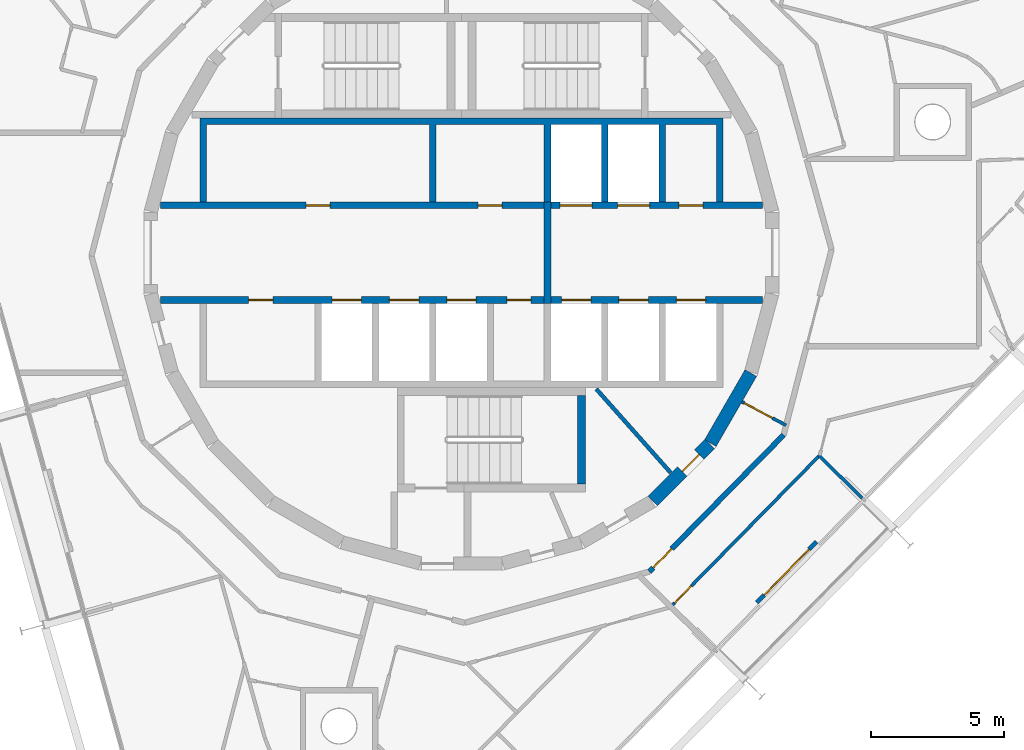
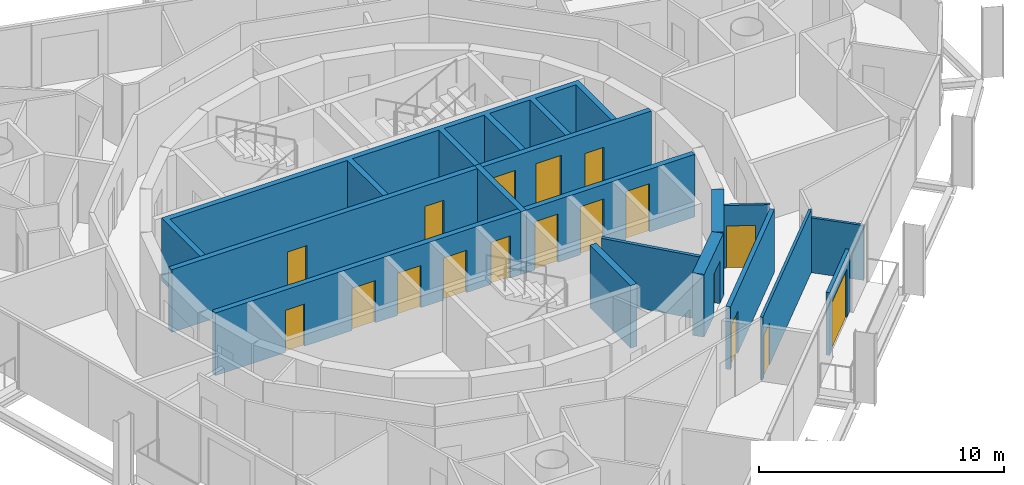
# One storey, part 11 of 16: 18 doors, 15 walls, 18 openings.
"""IFC4 building model written with IfcOpenShell, lengths in metres."""

from ifc_helpers import new_model, si_unit, direction, frame, frame_2d, origin, place, context, subcontext, project, spatial, polyline, rectangle, outline, extrude, material, layer, layer_set, type_object, element, fill, save


model = new_model("IFC4")

# Units and contexts
model_context = context("Model", 3, precision=1e-05, world=origin(), true_north=direction((0.0, 1.0)))
body_context = subcontext(model_context, "Body", "Model", "MODEL_VIEW")
ifc_project = project(units=[si_unit("LENGTHUNIT", "METRE"), si_unit("AREAUNIT", "SQUARE_METRE"), si_unit("VOLUMEUNIT", "CUBIC_METRE"), si_unit("PLANEANGLEUNIT", "RADIAN"), si_unit("MASSUNIT", "GRAM", prefix="KILO")], contexts=[model_context])

# Site, building, storey
site_placement = place(None, origin())
site = spatial("IfcSite", under=ifc_project, at=site_placement, CompositionType="ELEMENT")
building_placement = place(site_placement, origin())
building = spatial("IfcBuilding", under=site, at=building_placement, Name="Spindle Arch Residences", CompositionType="ELEMENT")
storey_placement = place(building_placement, frame((0.0, 0.0, 301.699951171875)))
storey = spatial("IfcBuildingStorey", under=building, at=storey_placement, Name="L77", CompositionType="ELEMENT", Elevation=301.699951171875)

# Wall, opening, door
ifc_material_1 = material(Name="Concrete C50/60", Category="concrete")
ifc_layer_1 = layer(ifc_material_1, 0.5)
ifc_layer_set_1 = layer_set([ifc_layer_1], Name="Core outline wall 500")
wall_type_1 = type_object("IfcWallType", Name="Core outline wall 500", PredefinedType="SHEAR", material=ifc_layer_set_1)
wall_1_placement = place(storey_placement, frame((7.163818359375, -9.30810546875, 0.0), z_axis=(0.0, 0.0, 1.0), x_axis=(0.707106781187, 0.707106781187, 0.0)))
wall_1 = element("IfcWall", 1, at=wall_1_placement, inside=storey, type_object=wall_type_1, Name="Core outline wall 3", PredefinedType="SHEAR", context=body_context, shape_type="SweptSolid", body=[
    extrude(rectangle(XDim=3.032470703125, YDim=0.5, at=frame_2d((1.51611328125, 0.0))), origin(), (0.0, 0.0, 1.0), 3.1201171875),
])
opening_1_placement = place(wall_1_placement, frame((1.56640625, 0.0, 0.0)))
opening_1 = element("IfcOpeningElement", 2, at=opening_1_placement, cuts=wall_1, Name="Opening R8A1-WD07", PredefinedType="OPENING", context=body_context, shape_type="SweptSolid", body=[
    extrude(rectangle(XDim=0.89990234375, YDim=2.10009765625, at=frame_2d((0.449951171875, 1.050048828125))), frame((0.0, 0.260009765625, 0.0), z_axis=(0.0, -1.0, 0.0), x_axis=(1.0, 0.0, 0.0)), (0.0, 0.0, 1.0), 0.52001953125),
])
ifc_material_2 = material(Name="Steel, fire-resisting door", Category="steel")
door_type_1 = type_object("IfcDoorType", Name="Service room door 900x2100", OperationType="SINGLE_SWING_LEFT", PredefinedType="DOOR", material=ifc_material_2)
door_1_placement = place(opening_1_placement, origin())
door_1 = element("IfcDoor", 3, at=door_1_placement, inside=storey, type_object=door_type_1, Name="Service room door R8A1-WD07", OperationType="SINGLE_SWING_LEFT", OverallHeight=2.10009765625, OverallWidth=0.89990234375, PredefinedType="DOOR", context=body_context, shape_type="SweptSolid", body=[
    extrude(rectangle(XDim=0.89990234375, YDim=2.10009765625, at=frame_2d((0.449951171875, 1.050048828125))), frame((0.0, 0.02490234375, 0.0), z_axis=(0.0, -1.0, 0.0), x_axis=(1.0, 0.0, 0.0)), (0.0, 0.0, 1.0), 0.050048828125),
])
fill(opening_1, door_1)

# Wall
wall_2_placement = place(storey_placement, frame((9.32861328125, -7.13671875, 0.0), z_axis=(0.0, 0.0, 1.0), x_axis=(0.500087131594, 0.865975092491, 0.0)))
element("IfcWall", 4, at=wall_2_placement, inside=storey, type_object=wall_type_1, Name="Core outline wall 4", PredefinedType="SHEAR", context=body_context, shape_type="SweptSolid", body=[
    extrude(rectangle(XDim=3.03271484375, YDim=0.5, at=frame_2d((1.516357421875, 0.0))), origin(), (0.0, 0.0, 1.0), 3.1201171875),
])

# Wall, opening, door
ifc_material_3 = material(Name="Plasterboard on steel studs", Category="steel")
ifc_layer_2 = layer(ifc_material_3, 0.1201171875)
ifc_layer_set_2 = layer_set([ifc_layer_2], Name="Corridor division wall 120")
wall_type_2 = type_object("IfcWallType", Name="Corridor division wall 120", PredefinedType="PARTITIONING", material=ifc_layer_set_2)
wall_3_placement = place(storey_placement, frame((10.510986328125, -5.5888671875, 0.0), z_axis=(0.0, 0.0, 1.0), x_axis=(0.882957311919, -0.469453283437, 0.0)))
wall_3 = element("IfcWall", 5, at=wall_3_placement, inside=storey, type_object=wall_type_2, Name="Corridor division wall R8A1-W002", PredefinedType="PARTITIONING", context=body_context, shape_type="SweptSolid", body=[
    extrude(rectangle(XDim=1.87646484375, YDim=0.1201171875, at=frame_2d((0.938232421875, 0.0))), origin(), (0.0, 0.0, 1.0), 3.1201171875),
])
opening_2_placement = place(wall_3_placement, frame((0.10009765625, 0.0, 0.0)))
opening_2 = element("IfcOpeningElement", 6, at=opening_2_placement, cuts=wall_3, Name="Opening R8A1-CD02", PredefinedType="OPENING", context=body_context, shape_type="SweptSolid", body=[
    extrude(rectangle(XDim=1.199951171875, YDim=2.10009765625, at=frame_2d((0.60009765625, 1.050048828125))), frame((0.0, 0.070068359375, 0.0), z_axis=(0.0, -1.0, 0.0), x_axis=(1.0, 0.0, 0.0)), (0.0, 0.0, 1.0), 0.14013671875),
])
ifc_material_4 = material(Name="Steel, fire-resisting door", Category="steel")
door_type_2 = type_object("IfcDoorType", Name="Corridor division door 1200x2100", OperationType="NOTDEFINED", PredefinedType="DOOR", material=ifc_material_4)
door_2_placement = place(opening_2_placement, origin())
door_2 = element("IfcDoor", 7, at=door_2_placement, inside=storey, type_object=door_type_2, Name="Corridor division door R8A1-CD02", OperationType="DOUBLE_DOOR_SINGLE_SWING", OverallHeight=2.10009765625, OverallWidth=1.199951171875, PredefinedType="DOOR", context=body_context, shape_type="SweptSolid", body=[
    extrude(rectangle(XDim=1.199951171875, YDim=2.10009765625, at=frame_2d((0.60009765625, 1.050048828125))), frame((0.0, 0.02490234375, 0.0), z_axis=(0.0, -1.0, 0.0), x_axis=(1.0, 0.0, 0.0)), (0.0, 0.0, 1.0), 0.050048828125),
])
fill(opening_2, door_2)

ifc_material_5 = material(Name="Calcium silicate block, plastered")
ifc_layer_3 = layer(ifc_material_5, 0.199951171875)
ifc_layer_set_3 = layer_set([ifc_layer_3], Name="Corridor wall 200")
wall_type_3 = type_object("IfcWallType", Name="Corridor wall 200", PredefinedType="STANDARD", material=ifc_layer_set_3)
wall_4_placement = place(storey_placement, frame((7.041015625, -11.953125, 0.0), z_axis=(0.0, 0.0, 1.0), x_axis=(0.70090916255, 0.713250549143, 0.0)))
wall_4 = element("IfcWall", 8, at=wall_4_placement, inside=storey, type_object=wall_type_3, Name="Corridor wall R8A1-W016", PredefinedType="STANDARD", context=body_context, shape_type="SweptSolid", body=[
    extrude(rectangle(XDim=7.180908203125, YDim=0.199951171875, at=frame_2d((3.59033203125, 0.0))), origin(), (0.0, 0.0, 1.0), 3.1201171875),
])
opening_3_placement = place(wall_4_placement, frame((0.199951171875, 0.0, 0.0)))
opening_3 = element("IfcOpeningElement", 9, at=opening_3_placement, cuts=wall_4, Name="Opening R8A1-FD06", PredefinedType="OPENING", context=body_context, shape_type="SweptSolid", body=[
    extrude(rectangle(XDim=1.0, YDim=2.10009765625, at=frame_2d((0.5, 1.050048828125))), frame((0.0, 0.10986328125, 0.0), z_axis=(0.0, -1.0, 0.0), x_axis=(1.0, 0.0, 0.0)), (0.0, 0.0, 1.0), 0.219970703125),
])
ifc_material_6 = material(Name="Timber, fire-resisting door set", Category="wood")
door_type_3 = type_object("IfcDoorType", Name="Flat entrance door 1000x2100", OperationType="NOTDEFINED", PredefinedType="DOOR", material=ifc_material_6)
door_3_placement = place(opening_3_placement, origin())
door_3 = element("IfcDoor", 10, at=door_3_placement, inside=storey, type_object=door_type_3, Name="Flat entrance door R8A1-FD06", OperationType="SINGLE_SWING_LEFT", OverallHeight=2.10009765625, OverallWidth=1.0, PredefinedType="DOOR", context=body_context, shape_type="SweptSolid", body=[
    extrude(rectangle(XDim=1.0, YDim=2.10009765625, at=frame_2d((0.5, 1.050048828125))), frame((0.0, 0.02490234375, 0.0), z_axis=(0.0, -1.0, 0.0), x_axis=(1.0, 0.0, 0.0)), (0.0, 0.0, 1.0), 0.050048828125),
])
fill(opening_3, door_3)

# Wall, openings, doors
ifc_material_7 = material(Name="Concrete C40/50", Category="concrete")
ifc_layer_4 = layer(ifc_material_7, 0.25)
ifc_layer_set_4 = layer_set([ifc_layer_4], Name="Fire-lift lobby wall 250")
wall_type_4 = type_object("IfcWallType", Name="Fire-lift lobby wall 250", PredefinedType="SHEAR", material=ifc_layer_set_4)
wall_5_placement = place(storey_placement, frame((3.35009765625, 1.77490234375, 0.0), z_axis=(0.0, 0.0, 1.0), x_axis=(1.0, 0.0, 0.0)))
wall_5 = element("IfcWall", 11, at=wall_5_placement, inside=storey, type_object=wall_type_4, Name="Lift shaft front wall NE", PredefinedType="SHEAR", context=body_context, shape_type="SweptSolid", body=[
    extrude(rectangle(XDim=7.929931640625, YDim=0.25, at=frame_2d((3.96484375, 0.0))), origin(), (0.0, 0.0, 1.0), 3.1201171875),
])
opening_4_placement = place(wall_5_placement, frame((0.35009765625, 0.0, 0.0)))
opening_4 = element("IfcOpeningElement", 12, at=opening_4_placement, cuts=wall_5, Name="Opening R8A1-SLD01", PredefinedType="OPENING", context=body_context, shape_type="SweptSolid", body=[
    extrude(rectangle(XDim=1.199951171875, YDim=2.39990234375, at=frame_2d((0.60009765625, 1.199951171875))), frame((0.0, 0.135009765625, 0.0), z_axis=(0.0, -1.0, 0.0), x_axis=(1.0, 0.0, 0.0)), (0.0, 0.0, 1.0), 0.27001953125),
])
opening_5_placement = place(wall_5_placement, frame((2.5, 0.0, 0.0)))
opening_5 = element("IfcOpeningElement", 13, at=opening_5_placement, cuts=wall_5, Name="Opening R8A1-SLD02", PredefinedType="OPENING", context=body_context, shape_type="SweptSolid", body=[
    extrude(rectangle(XDim=1.199951171875, YDim=2.39990234375, at=frame_2d((0.60009765625, 1.199951171875))), frame((0.0, 0.135009765625, 0.0), z_axis=(0.0, -1.0, 0.0), x_axis=(1.0, 0.0, 0.0)), (0.0, 0.0, 1.0), 0.27001953125),
])
opening_6_placement = place(wall_5_placement, frame((4.800048828125, 0.0, 0.0)))
opening_6 = element("IfcOpeningElement", 14, at=opening_6_placement, cuts=wall_5, Name="Opening R8A1-WD03", PredefinedType="OPENING", context=body_context, shape_type="SweptSolid", body=[
    extrude(rectangle(XDim=0.89990234375, YDim=2.10009765625, at=frame_2d((0.449951171875, 1.050048828125))), frame((0.0, 0.135009765625, 0.0), z_axis=(0.0, -1.0, 0.0), x_axis=(1.0, 0.0, 0.0)), (0.0, 0.0, 1.0), 0.27001953125),
])
ifc_material_8 = material(Name="Steel, fire-resisting landing door", Category="steel")
door_type_4 = type_object("IfcDoorType", Name="Service lift landing door 1200x2400", OperationType="DOUBLE_DOOR_SLIDING", PredefinedType="DOOR", material=ifc_material_8)
door_4_placement = place(opening_4_placement, origin())
door_4 = element("IfcDoor", 15, at=door_4_placement, inside=storey, type_object=door_type_4, Name="Service lift landing door R8A1-SLD01", OperationType="DOUBLE_DOOR_SLIDING", OverallHeight=2.39990234375, OverallWidth=1.199951171875, PredefinedType="DOOR", context=body_context, shape_type="SweptSolid", body=[
    extrude(rectangle(XDim=1.199951171875, YDim=2.39990234375, at=frame_2d((0.60009765625, 1.199951171875))), frame((0.0, 0.02490234375, 0.0), z_axis=(0.0, -1.0, 0.0), x_axis=(1.0, 0.0, 0.0)), (0.0, 0.0, 1.0), 0.050048828125),
])
fill(opening_4, door_4)
door_5_placement = place(opening_5_placement, origin())
door_5 = element("IfcDoor", 16, at=door_5_placement, inside=storey, type_object=door_type_4, Name="Service lift landing door R8A1-SLD02", OperationType="DOUBLE_DOOR_SLIDING", OverallHeight=2.39990234375, OverallWidth=1.199951171875, PredefinedType="DOOR", context=body_context, shape_type="SweptSolid", body=[
    extrude(rectangle(XDim=1.199951171875, YDim=2.39990234375, at=frame_2d((0.60009765625, 1.199951171875))), frame((0.0, 0.02490234375, 0.0), z_axis=(0.0, -1.0, 0.0), x_axis=(1.0, 0.0, 0.0)), (0.0, 0.0, 1.0), 0.050048828125),
])
fill(opening_5, door_5)
door_6_placement = place(opening_6_placement, origin())
door_6 = element("IfcDoor", 17, at=door_6_placement, inside=storey, type_object=door_type_1, Name="Service room door R8A1-WD03", OperationType="SINGLE_SWING_LEFT", OverallHeight=2.10009765625, OverallWidth=0.89990234375, PredefinedType="DOOR", context=body_context, shape_type="SweptSolid", body=[
    extrude(rectangle(XDim=0.89990234375, YDim=2.10009765625, at=frame_2d((0.449951171875, 1.050048828125))), frame((0.0, 0.02490234375, 0.0), z_axis=(0.0, -1.0, 0.0), x_axis=(1.0, 0.0, 0.0)), (0.0, 0.0, 1.0), 0.050048828125),
])
fill(opening_6, door_6)

# Wall
wall_6_placement = place(storey_placement, frame((3.22509765625, -1.89990234375, 0.0), z_axis=(0.0, 0.0, 1.0), x_axis=(0.0, 1.0, 0.0)))
element("IfcWall", 18, at=wall_6_placement, inside=storey, type_object=wall_type_4, Name="Fire-fighting lobby partition", PredefinedType="SHEAR", context=body_context, shape_type="SweptSolid", body=[
    extrude(rectangle(XDim=3.7998046875, YDim=0.25, at=frame_2d((1.89990234375, 0.0))), origin(), (0.0, 0.0, 1.0), 3.1201171875),
])

# Wall, openings, doors
ifc_material_9 = material(Name="Concrete C50/60", Category="concrete")
ifc_layer_5 = layer(ifc_material_9, 0.25)
ifc_layer_set_5 = layer_set([ifc_layer_5], Name="Fire-lift shaft wall 250")
wall_type_5 = type_object("IfcWallType", Name="Fire-lift shaft wall 250", PredefinedType="SHEAR", material=ifc_layer_set_5)
wall_7_placement = place(storey_placement, frame((3.35009765625, -1.77490234375, 0.0), z_axis=(0.0, 0.0, 1.0), x_axis=(1.0, 0.0, 0.0)))
wall_7 = element("IfcWall", 19, at=wall_7_placement, inside=storey, type_object=wall_type_5, Name="Lift shaft front wall SE", PredefinedType="SHEAR", context=body_context, shape_type="SweptSolid", body=[
    extrude(rectangle(XDim=7.929931640625, YDim=0.25, at=frame_2d((3.96484375, 0.0))), origin(), (0.0, 0.0, 1.0), 3.1201171875),
])
opening_7_placement = place(wall_7_placement, frame((0.39990234375, 0.0, 0.0)))
opening_7 = element("IfcOpeningElement", 20, at=opening_7_placement, cuts=wall_7, Name="Opening R8A1-FLD01", PredefinedType="OPENING", context=body_context, shape_type="SweptSolid", body=[
    extrude(rectangle(XDim=1.10009765625, YDim=2.39990234375, at=frame_2d((0.550048828125, 1.199951171875))), frame((0.0, 0.135009765625, 0.0), z_axis=(0.0, -1.0, 0.0), x_axis=(1.0, 0.0, 0.0)), (0.0, 0.0, 1.0), 0.27001953125),
])
opening_8_placement = place(wall_7_placement, frame((2.550048828125, 0.0, 0.0)))
opening_8 = element("IfcOpeningElement", 21, at=opening_8_placement, cuts=wall_7, Name="Opening R8A1-FLD02", PredefinedType="OPENING", context=body_context, shape_type="SweptSolid", body=[
    extrude(rectangle(XDim=1.10009765625, YDim=2.39990234375, at=frame_2d((0.550048828125, 1.199951171875))), frame((0.0, 0.135009765625, 0.0), z_axis=(0.0, -1.0, 0.0), x_axis=(1.0, 0.0, 0.0)), (0.0, 0.0, 1.0), 0.27001953125),
])
opening_9_placement = place(wall_7_placement, frame((4.699951171875, 0.0, 0.0)))
opening_9 = element("IfcOpeningElement", 22, at=opening_9_placement, cuts=wall_7, Name="Opening R8A1-FLD03", PredefinedType="OPENING", context=body_context, shape_type="SweptSolid", body=[
    extrude(rectangle(XDim=1.10009765625, YDim=2.39990234375, at=frame_2d((0.550048828125, 1.199951171875))), frame((0.0, 0.135009765625, 0.0), z_axis=(0.0, -1.0, 0.0), x_axis=(1.0, 0.0, 0.0)), (0.0, 0.0, 1.0), 0.27001953125),
])
ifc_material_10 = material(Name="Steel, fire-resisting landing door", Category="steel")
door_type_5 = type_object("IfcDoorType", Name="Fire-fighting lift landing door 1100x2400", OperationType="DOUBLE_DOOR_SLIDING", PredefinedType="DOOR", material=ifc_material_10)
door_7_placement = place(opening_7_placement, origin())
door_7 = element("IfcDoor", 23, at=door_7_placement, inside=storey, type_object=door_type_5, Name="Fire-fighting lift landing door R8A1-FLD01", OperationType="DOUBLE_DOOR_SLIDING", OverallHeight=2.39990234375, OverallWidth=1.10009765625, PredefinedType="DOOR", context=body_context, shape_type="SweptSolid", body=[
    extrude(rectangle(XDim=1.10009765625, YDim=2.39990234375, at=frame_2d((0.550048828125, 1.199951171875))), frame((0.0, 0.02490234375, 0.0), z_axis=(0.0, -1.0, 0.0), x_axis=(1.0, 0.0, 0.0)), (0.0, 0.0, 1.0), 0.050048828125),
])
fill(opening_7, door_7)
door_8_placement = place(opening_8_placement, origin())
door_8 = element("IfcDoor", 24, at=door_8_placement, inside=storey, type_object=door_type_5, Name="Fire-fighting lift landing door R8A1-FLD02", OperationType="DOUBLE_DOOR_SLIDING", OverallHeight=2.39990234375, OverallWidth=1.10009765625, PredefinedType="DOOR", context=body_context, shape_type="SweptSolid", body=[
    extrude(rectangle(XDim=1.10009765625, YDim=2.39990234375, at=frame_2d((0.550048828125, 1.199951171875))), frame((0.0, 0.02490234375, 0.0), z_axis=(0.0, -1.0, 0.0), x_axis=(1.0, 0.0, 0.0)), (0.0, 0.0, 1.0), 0.050048828125),
])
fill(opening_8, door_8)
door_9_placement = place(opening_9_placement, origin())
door_9 = element("IfcDoor", 25, at=door_9_placement, inside=storey, type_object=door_type_5, Name="Fire-fighting lift landing door R8A1-FLD03", OperationType="DOUBLE_DOOR_SLIDING", OverallHeight=2.39990234375, OverallWidth=1.10009765625, PredefinedType="DOOR", context=body_context, shape_type="SweptSolid", body=[
    extrude(rectangle(XDim=1.10009765625, YDim=2.39990234375, at=frame_2d((0.550048828125, 1.199951171875))), frame((0.0, 0.02490234375, 0.0), z_axis=(0.0, -1.0, 0.0), x_axis=(1.0, 0.0, 0.0)), (0.0, 0.0, 1.0), 0.050048828125),
])
fill(opening_9, door_9)

# Wall, opening, door
ifc_material_11 = material(Name="Plasterboard on steel studs", Category="steel")
ifc_layer_6 = layer(ifc_material_11, 0.1201171875)
ifc_layer_set_6 = layer_set([ifc_layer_6], Name="Flat partition 120")
wall_type_6 = type_object("IfcWallType", Name="Flat partition 120", PredefinedType="PARTITIONING", material=ifc_layer_set_6)
wall_8_placement = place(storey_placement, frame((7.846435546875, -13.2734375, 0.0), z_axis=(0.0, 0.0, 1.0), x_axis=(0.700911018066, 0.713248725728, 0.0)))
wall_8 = element("IfcWall", 26, at=wall_8_placement, inside=storey, type_object=wall_type_6, Name="Flat partition R8A1-W096", PredefinedType="PARTITIONING", context=body_context, shape_type="SweptSolid", body=[
    extrude(rectangle(XDim=7.93505859375, YDim=0.1201171875, at=frame_2d((3.967529296875, 0.0))), origin(), (0.0, 0.0, 1.0), 3.1201171875),
])
opening_10_placement = place(wall_8_placement, frame((0.199951171875, 0.0, 0.0)))
opening_10 = element("IfcOpeningElement", 27, at=opening_10_placement, cuts=wall_8, Name="Opening R8A1-ID21", PredefinedType="OPENING", context=body_context, shape_type="SweptSolid", body=[
    extrude(rectangle(XDim=0.89990234375, YDim=2.10009765625, at=frame_2d((0.449951171875, 1.050048828125))), frame((0.0, 0.070068359375, 0.0), z_axis=(0.0, -1.0, 0.0), x_axis=(1.0, 0.0, 0.0)), (0.0, 0.0, 1.0), 0.14013671875),
])
ifc_material_12 = material(Name="Timber door set", Category="wood")
door_type_6 = type_object("IfcDoorType", Name="Room door 900x2100", OperationType="NOTDEFINED", PredefinedType="DOOR", material=ifc_material_12)
door_10_placement = place(opening_10_placement, origin())
door_10 = element("IfcDoor", 28, at=door_10_placement, inside=storey, type_object=door_type_6, Name="Room door R8A1-ID21", OperationType="SINGLE_SWING_LEFT", OverallHeight=2.10009765625, OverallWidth=0.89990234375, PredefinedType="DOOR", context=body_context, shape_type="SweptSolid", body=[
    extrude(rectangle(XDim=0.89990234375, YDim=2.10009765625, at=frame_2d((0.449951171875, 1.050048828125))), frame((0.0, 0.02490234375, 0.0), z_axis=(0.0, -1.0, 0.0), x_axis=(1.0, 0.0, 0.0)), (0.0, 0.0, 1.0), 0.050048828125),
])
fill(opening_10, door_10)

# Wall
ifc_material_13 = material(Name="Plasterboard on steel studs", Category="steel")
ifc_layer_7 = layer(ifc_material_13, 0.1201171875)
ifc_layer_set_7 = layer_set([ifc_layer_7], Name="Flat partition 120 under beam 2730")
wall_type_7 = type_object("IfcWallType", Name="Flat partition 120 under beam 2730", PredefinedType="PARTITIONING", material=ifc_layer_set_7)
wall_9_placement = place(storey_placement, frame((15.023681640625, -9.200927734375, 0.0), z_axis=(0.0, 0.0, 1.0), x_axis=(-0.713331704042, 0.700826569137, 0.0)))
element("IfcWall", 29, at=wall_9_placement, inside=storey, type_object=wall_type_7, Name="Flat partition R8A1-W109", PredefinedType="PARTITIONING", context=body_context, shape_type="SweptSolid", body=[
    extrude(rectangle(XDim=2.2646484375, YDim=0.1201171875, at=frame_2d((1.13232421875, 0.0))), origin(), (0.0, 0.0, 1.0), 2.72998046875),
])

# Wall, opening, door
ifc_material_14 = material(Name="Non-combustible mineral wool insulated aluminium faced external wall (K0)", Category="aluminium")
ifc_layer_8 = layer(ifc_material_14, 0.159912109375)
ifc_layer_set_8 = layer_set([ifc_layer_8], Name="Insulated external wall panel 160")
wall_type_8 = type_object("IfcWallType", Name="Insulated external wall panel 160", PredefinedType="STANDARD", material=ifc_layer_set_8)
wall_10_placement = place(storey_placement, frame((11.064208984375, -13.115966796875, 0.0), z_axis=(0.0, 0.0, 1.0), x_axis=(0.700900076932, 0.713259477439, 0.0)))
wall_10 = element("IfcWall", 30, at=wall_10_placement, inside=storey, type_object=wall_type_8, Name="External wall L77 bay 20", PredefinedType="STANDARD", context=body_context, shape_type="SweptSolid", body=[
    extrude(rectangle(XDim=3.199951171875, YDim=0.159912109375, at=frame_2d((1.60009765625, 0.0))), origin(), (0.0, 0.0, 1.0), 3.1201171875),
])
opening_11_placement = place(wall_10_placement, frame((0.39990234375, 0.0, 0.0)))
opening_11 = element("IfcOpeningElement", 31, at=opening_11_placement, cuts=wall_10, Name="Opening BD20", PredefinedType="OPENING", context=body_context, shape_type="SweptSolid", body=[
    extrude(rectangle(XDim=2.39990234375, YDim=2.39990234375, at=frame_2d((1.199951171875, 1.199951171875))), frame((0.0, 0.08984375, 0.0), z_axis=(0.0, -1.0, 0.0), x_axis=(1.0, 0.0, 0.0)), (0.0, 0.0, 1.0), 0.179931640625),
])
ifc_material_15 = material(Name="Bronze aluminium frame, tinted double glazing", Category="aluminium")
door_type_7 = type_object("IfcDoorType", Name="Sliding glazed balcony door 2400x2400", OperationType="DOUBLE_DOOR_SLIDING", PredefinedType="DOOR", material=ifc_material_15)
door_11_placement = place(opening_11_placement, origin())
door_11 = element("IfcDoor", 32, at=door_11_placement, inside=storey, type_object=door_type_7, Name="Balcony door BD20", OperationType="DOUBLE_DOOR_SLIDING", OverallHeight=2.39990234375, OverallWidth=2.39990234375, PredefinedType="DOOR", context=body_context, shape_type="SweptSolid", body=[
    extrude(rectangle(XDim=2.39990234375, YDim=2.39990234375, at=frame_2d((1.199951171875, 1.199951171875))), frame((0.0, 0.02490234375, 0.0), z_axis=(0.0, -1.0, 0.0), x_axis=(1.0, 0.0, 0.0)), (0.0, 0.0, 1.0), 0.050048828125),
])
fill(opening_11, door_11)

# Wall, openings, doors
ifc_material_16 = material(Name="Concrete C50/60", Category="concrete")
ifc_layer_9 = layer(ifc_material_16, 0.25)
ifc_layer_set_9 = layer_set([ifc_layer_9], Name="Lift shaft wall 250")
wall_type_9 = type_object("IfcWallType", Name="Lift shaft wall 250", PredefinedType="SHEAR", material=ifc_layer_set_9)
wall_11_placement = place(storey_placement, frame((-11.280029296875, 1.77490234375, 0.0), z_axis=(0.0, 0.0, 1.0), x_axis=(1.0, 0.0, 0.0)))
wall_11 = element("IfcWall", 33, at=wall_11_placement, inside=storey, type_object=wall_type_9, Name="Lift shaft front wall NW", PredefinedType="SHEAR", context=body_context, shape_type="SweptSolid", body=[
    extrude(rectangle(XDim=14.380126953125, YDim=0.25, at=frame_2d((7.18994140625, 0.0))), origin(), (0.0, 0.0, 1.0), 3.1201171875),
])
opening_12_placement = place(wall_11_placement, frame((5.455078125, 0.0, 0.0)))
opening_12 = element("IfcOpeningElement", 34, at=opening_12_placement, cuts=wall_11, Name="Opening R8A1-WD01", PredefinedType="OPENING", context=body_context, shape_type="SweptSolid", body=[
    extrude(rectangle(XDim=0.89990234375, YDim=2.10009765625, at=frame_2d((0.449951171875, 1.050048828125))), frame((0.0, 0.135009765625, 0.0), z_axis=(0.0, -1.0, 0.0), x_axis=(1.0, 0.0, 0.0)), (0.0, 0.0, 1.0), 0.27001953125),
])
opening_13_placement = place(wall_11_placement, frame((11.905029296875, 0.0, 0.0)))
opening_13 = element("IfcOpeningElement", 35, at=opening_13_placement, cuts=wall_11, Name="Opening R8A1-WD02", PredefinedType="OPENING", context=body_context, shape_type="SweptSolid", body=[
    extrude(rectangle(XDim=0.89990234375, YDim=2.10009765625, at=frame_2d((0.449951171875, 1.050048828125))), frame((0.0, 0.135009765625, 0.0), z_axis=(0.0, -1.0, 0.0), x_axis=(1.0, 0.0, 0.0)), (0.0, 0.0, 1.0), 0.27001953125),
])
door_12_placement = place(opening_12_placement, origin())
door_12 = element("IfcDoor", 36, at=door_12_placement, inside=storey, type_object=door_type_1, Name="Service room door R8A1-WD01", OperationType="SINGLE_SWING_LEFT", OverallHeight=2.10009765625, OverallWidth=0.89990234375, PredefinedType="DOOR", context=body_context, shape_type="SweptSolid", body=[
    extrude(rectangle(XDim=0.89990234375, YDim=2.10009765625, at=frame_2d((0.449951171875, 1.050048828125))), frame((0.0, 0.02490234375, 0.0), z_axis=(0.0, -1.0, 0.0), x_axis=(1.0, 0.0, 0.0)), (0.0, 0.0, 1.0), 0.050048828125),
])
fill(opening_12, door_12)
door_13_placement = place(opening_13_placement, origin())
door_13 = element("IfcDoor", 37, at=door_13_placement, inside=storey, type_object=door_type_1, Name="Service room door R8A1-WD02", OperationType="SINGLE_SWING_RIGHT", OverallHeight=2.10009765625, OverallWidth=0.89990234375, PredefinedType="DOOR", context=body_context, shape_type="SweptSolid", body=[
    extrude(rectangle(XDim=0.89990234375, YDim=2.10009765625, at=frame_2d((0.449951171875, 1.050048828125))), frame((0.0, 0.02490234375, 0.0), z_axis=(0.0, -1.0, 0.0), x_axis=(1.0, 0.0, 0.0)), (0.0, 0.0, 1.0), 0.050048828125),
])
fill(opening_13, door_13)

wall_12_placement = place(storey_placement, frame((-11.280029296875, -1.77490234375, 0.0), z_axis=(0.0, 0.0, 1.0), x_axis=(1.0, 0.0, 0.0)))
wall_12 = element("IfcWall", 38, at=wall_12_placement, inside=storey, type_object=wall_type_9, Name="Lift shaft front wall SW", PredefinedType="SHEAR", context=body_context, shape_type="SweptSolid", body=[
    extrude(rectangle(XDim=14.380126953125, YDim=0.25, at=frame_2d((7.18994140625, 0.0))), origin(), (0.0, 0.0, 1.0), 3.1201171875),
])
opening_14_placement = place(wall_12_placement, frame((6.429931640625, 0.0, 0.0)))
opening_14 = element("IfcOpeningElement", 39, at=opening_14_placement, cuts=wall_12, Name="Opening R8A1-LD01", PredefinedType="OPENING", context=body_context, shape_type="SweptSolid", body=[
    extrude(rectangle(XDim=1.10009765625, YDim=2.10009765625, at=frame_2d((0.550048828125, 1.050048828125))), frame((0.0, 0.135009765625, 0.0), z_axis=(0.0, -1.0, 0.0), x_axis=(1.0, 0.0, 0.0)), (0.0, 0.0, 1.0), 0.27001953125),
])
opening_15_placement = place(wall_12_placement, frame((8.580078125, 0.0, 0.0)))
opening_15 = element("IfcOpeningElement", 40, at=opening_15_placement, cuts=wall_12, Name="Opening R8A1-LD02", PredefinedType="OPENING", context=body_context, shape_type="SweptSolid", body=[
    extrude(rectangle(XDim=1.10009765625, YDim=2.10009765625, at=frame_2d((0.550048828125, 1.050048828125))), frame((0.0, 0.135009765625, 0.0), z_axis=(0.0, -1.0, 0.0), x_axis=(1.0, 0.0, 0.0)), (0.0, 0.0, 1.0), 0.27001953125),
])
opening_16_placement = place(wall_12_placement, frame((10.72998046875, 0.0, 0.0)))
opening_16 = element("IfcOpeningElement", 41, at=opening_16_placement, cuts=wall_12, Name="Opening R8A1-LD03", PredefinedType="OPENING", context=body_context, shape_type="SweptSolid", body=[
    extrude(rectangle(XDim=1.10009765625, YDim=2.10009765625, at=frame_2d((0.550048828125, 1.050048828125))), frame((0.0, 0.135009765625, 0.0), z_axis=(0.0, -1.0, 0.0), x_axis=(1.0, 0.0, 0.0)), (0.0, 0.0, 1.0), 0.27001953125),
])
opening_17_placement = place(wall_12_placement, frame((3.304931640625, 0.0, 0.0)))
opening_17 = element("IfcOpeningElement", 42, at=opening_17_placement, cuts=wall_12, Name="Opening R8A1-WD04", PredefinedType="OPENING", context=body_context, shape_type="SweptSolid", body=[
    extrude(rectangle(XDim=0.89990234375, YDim=2.10009765625, at=frame_2d((0.449951171875, 1.050048828125))), frame((0.0, 0.135009765625, 0.0), z_axis=(0.0, -1.0, 0.0), x_axis=(1.0, 0.0, 0.0)), (0.0, 0.0, 1.0), 0.27001953125),
])
opening_18_placement = place(wall_12_placement, frame((12.97998046875, 0.0, 0.0)))
opening_18 = element("IfcOpeningElement", 43, at=opening_18_placement, cuts=wall_12, Name="Opening R8A1-WD05", PredefinedType="OPENING", context=body_context, shape_type="SweptSolid", body=[
    extrude(rectangle(XDim=0.89990234375, YDim=2.10009765625, at=frame_2d((0.449951171875, 1.050048828125))), frame((0.0, 0.135009765625, 0.0), z_axis=(0.0, -1.0, 0.0), x_axis=(1.0, 0.0, 0.0)), (0.0, 0.0, 1.0), 0.27001953125),
])
ifc_material_17 = material(Name="Steel, fire-resisting landing door", Category="steel")
door_type_8 = type_object("IfcDoorType", Name="Lift landing door 1100x2100", OperationType="DOUBLE_DOOR_SLIDING", PredefinedType="DOOR", material=ifc_material_17)
door_14_placement = place(opening_14_placement, origin())
door_14 = element("IfcDoor", 44, at=door_14_placement, inside=storey, type_object=door_type_8, Name="Lift landing door R8A1-LD01", OperationType="DOUBLE_DOOR_SLIDING", OverallHeight=2.10009765625, OverallWidth=1.10009765625, PredefinedType="DOOR", context=body_context, shape_type="SweptSolid", body=[
    extrude(rectangle(XDim=1.10009765625, YDim=2.10009765625, at=frame_2d((0.550048828125, 1.050048828125))), frame((0.0, 0.02490234375, 0.0), z_axis=(0.0, -1.0, 0.0), x_axis=(1.0, 0.0, 0.0)), (0.0, 0.0, 1.0), 0.050048828125),
])
fill(opening_14, door_14)
door_15_placement = place(opening_15_placement, origin())
door_15 = element("IfcDoor", 45, at=door_15_placement, inside=storey, type_object=door_type_8, Name="Lift landing door R8A1-LD02", OperationType="DOUBLE_DOOR_SLIDING", OverallHeight=2.10009765625, OverallWidth=1.10009765625, PredefinedType="DOOR", context=body_context, shape_type="SweptSolid", body=[
    extrude(rectangle(XDim=1.10009765625, YDim=2.10009765625, at=frame_2d((0.550048828125, 1.050048828125))), frame((0.0, 0.02490234375, 0.0), z_axis=(0.0, -1.0, 0.0), x_axis=(1.0, 0.0, 0.0)), (0.0, 0.0, 1.0), 0.050048828125),
])
fill(opening_15, door_15)
door_16_placement = place(opening_16_placement, origin())
door_16 = element("IfcDoor", 46, at=door_16_placement, inside=storey, type_object=door_type_8, Name="Lift landing door R8A1-LD03", OperationType="DOUBLE_DOOR_SLIDING", OverallHeight=2.10009765625, OverallWidth=1.10009765625, PredefinedType="DOOR", context=body_context, shape_type="SweptSolid", body=[
    extrude(rectangle(XDim=1.10009765625, YDim=2.10009765625, at=frame_2d((0.550048828125, 1.050048828125))), frame((0.0, 0.02490234375, 0.0), z_axis=(0.0, -1.0, 0.0), x_axis=(1.0, 0.0, 0.0)), (0.0, 0.0, 1.0), 0.050048828125),
])
fill(opening_16, door_16)
door_17_placement = place(opening_17_placement, origin())
door_17 = element("IfcDoor", 47, at=door_17_placement, inside=storey, type_object=door_type_1, Name="Service room door R8A1-WD04", OperationType="SINGLE_SWING_RIGHT", OverallHeight=2.10009765625, OverallWidth=0.89990234375, PredefinedType="DOOR", context=body_context, shape_type="SweptSolid", body=[
    extrude(rectangle(XDim=0.89990234375, YDim=2.10009765625, at=frame_2d((0.449951171875, 1.050048828125))), frame((0.0, 0.02490234375, 0.0), z_axis=(0.0, -1.0, 0.0), x_axis=(1.0, 0.0, 0.0)), (0.0, 0.0, 1.0), 0.050048828125),
])
fill(opening_17, door_17)
door_18_placement = place(opening_18_placement, origin())
door_18 = element("IfcDoor", 48, at=door_18_placement, inside=storey, type_object=door_type_1, Name="Service room door R8A1-WD05", OperationType="SINGLE_SWING_LEFT", OverallHeight=2.10009765625, OverallWidth=0.89990234375, PredefinedType="DOOR", context=body_context, shape_type="SweptSolid", body=[
    extrude(rectangle(XDim=0.89990234375, YDim=2.10009765625, at=frame_2d((0.449951171875, 1.050048828125))), frame((0.0, 0.02490234375, 0.0), z_axis=(0.0, -1.0, 0.0), x_axis=(1.0, 0.0, 0.0)), (0.0, 0.0, 1.0), 0.050048828125),
])
fill(opening_18, door_18)

# Walls
ifc_material_18 = material(Name="Concrete C50/60", Category="concrete")
wall_type_10 = type_object("IfcWallType", Name="Lift shaft wall profile", PredefinedType="SHEAR", material=ifc_material_18)
wall_13_placement = place(storey_placement, origin())
element("IfcWall", 49, at=wall_13_placement, inside=storey, type_object=wall_type_10, Name="Lift shaft walls N", PredefinedType="SHEAR", context=body_context, shape_type="SweptSolid", body=[
    extrude(outline(polyline([(-9.800048828125, 1.89990234375), (-9.550048828125, 1.89990234375), (-9.550048828125, 4.800048828125), (-1.199951171875, 4.800048828125), (-1.199951171875, 1.89990234375), (-0.949951171875, 1.89990234375), (-0.949951171875, 4.800048828125), (3.10009765625, 4.800048828125), (3.10009765625, 1.89990234375), (3.35009765625, 1.89990234375), (3.35009765625, 4.800048828125), (5.25, 4.800048828125), (5.25, 1.89990234375), (5.5, 1.89990234375), (5.5, 4.800048828125), (7.39990234375, 4.800048828125), (7.39990234375, 1.89990234375), (7.64990234375, 1.89990234375), (7.64990234375, 4.800048828125), (9.550048828125, 4.800048828125), (9.550048828125, 1.89990234375), (9.800048828125, 1.89990234375), (9.800048828125, 4.800048828125), (9.800048828125, 5.050048828125), (-9.800048828125, 5.050048828125), (-9.800048828125, 4.800048828125), (-9.800048828125, 1.89990234375)])), origin(), (0.0, 0.0, 1.0), 3.1201171875),
])
ifc_material_19 = material(Name="Concrete C25/30", Category="concrete")
ifc_layer_10 = layer(ifc_material_19, 0.14990234375)
ifc_layer_set_10 = layer_set([ifc_layer_10], Name="Service room partition 150")
wall_type_11 = type_object("IfcWallType", Name="Service room partition 150", PredefinedType="PARTITIONING", material=ifc_layer_set_10)
wall_14_placement = place(storey_placement, frame((7.84228515625, -8.24755859375, 0.0), z_axis=(0.0, 0.0, 1.0), x_axis=(-0.66446128181, 0.747322691329, 0.0)))
element("IfcWall", 50, at=wall_14_placement, inside=storey, type_object=wall_type_11, Name="Core service room partition", PredefinedType="PARTITIONING", context=body_context, shape_type="SweptSolid", body=[
    extrude(rectangle(XDim=4.198486328125, YDim=0.14990234375, at=frame_2d((2.09912109375, 0.0))), origin(), (0.0, 0.0, 1.0), 3.1201171875),
])
ifc_material_20 = material(Name="Concrete C50/60", Category="concrete")
ifc_layer_11 = layer(ifc_material_20, 0.300048828125)
ifc_layer_set_11 = layer_set([ifc_layer_11], Name="Stair enclosure wall 300")
wall_type_12 = type_object("IfcWallType", Name="Stair enclosure wall 300", PredefinedType="SHEAR", material=ifc_layer_set_11)
wall_15_placement = place(storey_placement, frame((4.5, -8.669921875, 0.0), z_axis=(0.0, 0.0, 1.0), x_axis=(0.0, 1.0, 0.0)))
element("IfcWall", 51, at=wall_15_placement, inside=storey, type_object=wall_type_12, Name="Stair ST-3 enclosure wall E", PredefinedType="SHEAR", context=body_context, shape_type="SweptSolid", body=[
    extrude(rectangle(XDim=3.31982421875, YDim=0.300048828125, at=frame_2d((1.659912109375, 0.0))), origin(), (0.0, 0.0, 1.0), 3.1201171875),
])

save(model, "model.ifc")
